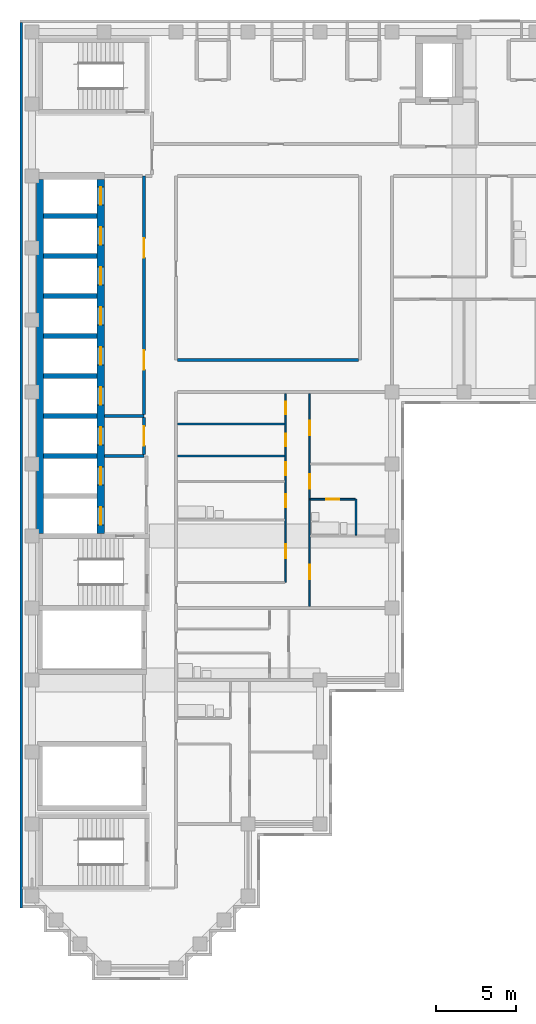
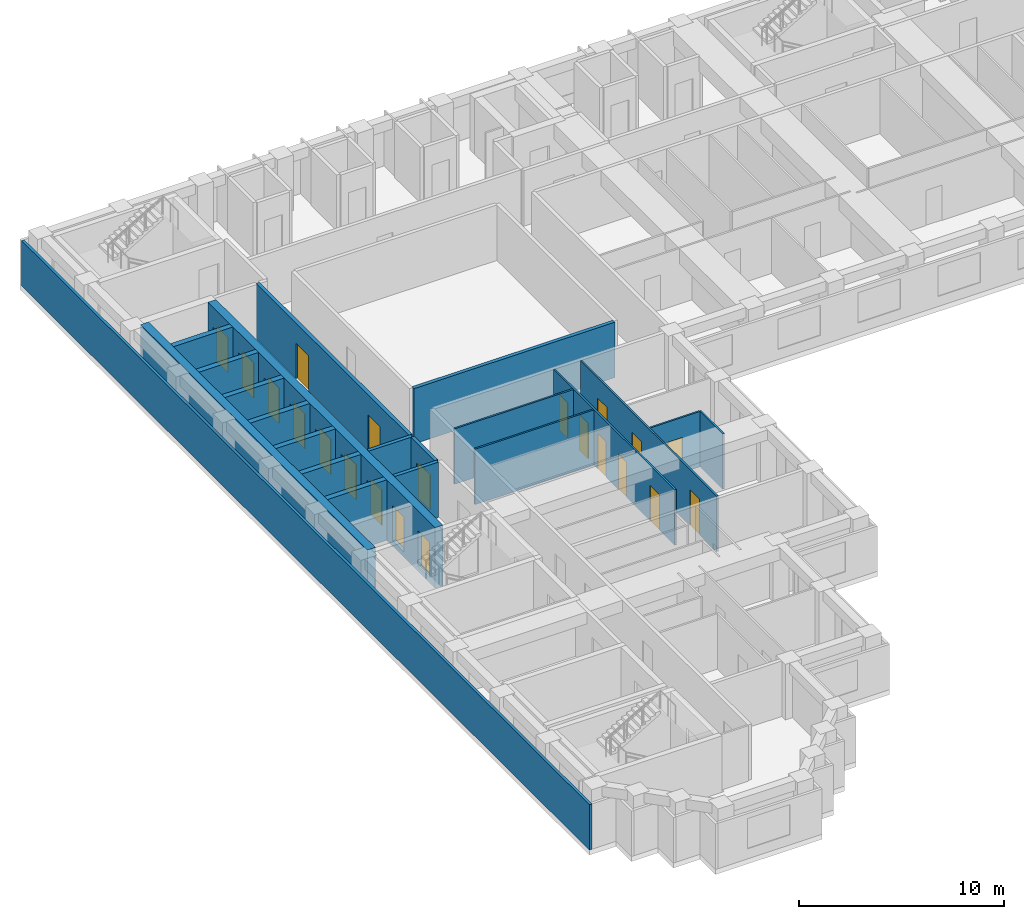
# One storey, part 4 of 10: 21 doors, 21 walls, 21 openings.
"""IFC4 building model written with IfcOpenShell, lengths in metres."""

import ifcopenshell
import ifcopenshell.guid

model = None  # the IFC model being written
_history = None  # IfcOwnerHistory: only IFC2X3 demands one
_inside = {}  # id of a spatial element -> (the spatial element, [elements in it])
_under = {}  # id of a project, library or spatial element -> (it, [spatial elements below it])
_declared = {}  # id of a project -> (the project, [libraries it declares])
_typed = {}  # id of a type object -> (the type object, [elements of that type])
_made_of = {}  # id of a material, layer set ... -> (it, [elements and type objects made of it])


def new_model(schema):
    """Start an empty IFC model of exactly this schema.

    Asked for "IFC4X3", IfcOpenShell would pick the latest addendum, in which some entities
    have other attributes; the version numbers below select the first issue.
    IFC2X3 requires an IfcOwnerHistory on every rooted entity: one is made here for all.
    """
    global model, _history
    if schema == "IFC4X3":
        model = ifcopenshell.file(schema_version=(4, 3, 0, 0))
    else:
        model = ifcopenshell.file(schema=schema)
    _inside.clear()
    _under.clear()
    _declared.clear()
    _typed.clear()
    _made_of.clear()
    _history = None
    if model.schema == "IFC2X3":
        org = make("IfcOrganization", Name="unknown")
        user = make(
            "IfcPersonAndOrganization",
            ThePerson=make("IfcPerson", FamilyName="unknown"),
            TheOrganization=org,
        )
        app = make(
            "IfcApplication",
            ApplicationDeveloper=org,
            Version="unknown",
            ApplicationFullName="unknown",
            ApplicationIdentifier="unknown",
        )
        _history = make(
            "IfcOwnerHistory",
            OwningUser=user,
            OwningApplication=app,
            ChangeAction="ADDED",
            CreationDate=0,
        )
    return model


def make(cls, **values):
    """One entity of the class cls with the attributes given. An attribute that is None is left unset."""
    return model.create_entity(
        cls, **{name: value for name, value in values.items() if value is not None}
    )


def rooted(cls, **values):
    """An entity with a GlobalId (a new one), such as an element, a storey or a relation."""
    return make(cls, GlobalId=ifcopenshell.guid.new(), OwnerHistory=_history, **values)


def si_unit(unit_type, name, prefix=None):
    """IfcSIUnit, for example si_unit("LENGTHUNIT", "METRE", prefix="MILLI")."""
    return make("IfcSIUnit", UnitType=unit_type, Prefix=prefix, Name=name)


def assignment(units):
    """IfcUnitAssignment: the units of a project."""
    return None if units is None else make("IfcUnitAssignment", Units=units)


def point(xyz):
    """IfcCartesianPoint."""
    return None if xyz is None else make("IfcCartesianPoint", Coordinates=xyz)


def direction(xyz):
    """IfcDirection."""
    return None if xyz is None else make("IfcDirection", DirectionRatios=xyz)


def frame(location, z_axis=None, x_axis=None):
    """IfcAxis2Placement3D, a coordinate frame: its origin and axes. An axis left out is left unset."""
    return make(
        "IfcAxis2Placement3D",
        Location=point(location),
        Axis=direction(z_axis),
        RefDirection=direction(x_axis),
    )


def frame_2d(location, x_axis=None):
    """IfcAxis2Placement2D, a coordinate frame in the plane: its origin and x axis."""
    return make(
        "IfcAxis2Placement2D", Location=point(location), RefDirection=direction(x_axis)
    )


def origin():
    """The frame at (0, 0, 0) with its axes left unset."""
    return frame((0.0, 0.0, 0.0))


def place(relative_to, where):
    """IfcLocalPlacement: puts the frame where relative to a parent placement (None: the world)."""
    return make(
        "IfcLocalPlacement", PlacementRelTo=relative_to, RelativePlacement=where
    )


def context(
    kind, dimensions, precision=None, world=None, true_north=None, identifier=None
):
    """IfcGeometricRepresentationContext, for example the 3D "Model" context."""
    return make(
        "IfcGeometricRepresentationContext",
        ContextIdentifier=identifier,
        ContextType=kind,
        CoordinateSpaceDimension=dimensions,
        Precision=precision,
        WorldCoordinateSystem=world,
        TrueNorth=true_north,
    )


def subcontext(parent, identifier, kind, view, scale=None):
    """IfcGeometricRepresentationSubContext, for example "Body" below "Model"."""
    return make(
        "IfcGeometricRepresentationSubContext",
        ContextIdentifier=identifier,
        ContextType=kind,
        ParentContext=parent,
        TargetScale=scale,
        TargetView=view,
    )


def project(units=None, contexts=None):
    """IfcProject with its units and contexts."""
    return rooted(
        "IfcProject",
        Name="project",
        RepresentationContexts=contexts,
        UnitsInContext=assignment(units),
    )


def spatial(cls, under=None, at=None, **own):
    """A site, building, storey or space (cls), placed at a placement, below another one or the project."""
    s = rooted(cls, ObjectPlacement=at, **own)
    if under is not None:
        _under.setdefault(under.id(), (under, []))[1].append(s)
    return s


def profile(cls, at=None, kind="AREA", **sizes):
    """A parametric profile (cls). Its sizes go by their IFC names, for example OverallWidth=200.0."""
    return make(cls, ProfileType=kind, Position=at, **sizes)


def rectangle(**sizes):
    """IfcRectangleProfileDef."""
    return profile("IfcRectangleProfileDef", **sizes)


def extrude(swept, where, along, depth):
    """IfcExtrudedAreaSolid: the profile swept, set in the frame where, extruded along a direction by depth."""
    return make(
        "IfcExtrudedAreaSolid",
        SweptArea=swept,
        Position=where,
        ExtrudedDirection=direction(along),
        Depth=depth,
    )


def shape(context_of_items, identifier, shape_type, items):
    """IfcShapeRepresentation: the items that make up one representation, for example the "Body"."""
    return make(
        "IfcShapeRepresentation",
        ContextOfItems=context_of_items,
        RepresentationIdentifier=identifier,
        RepresentationType=shape_type,
        Items=items,
    )


def material(Name=None, Category=None):
    """IfcMaterial."""
    return make("IfcMaterial", Name=Name, Category=Category)


def layer(
    of_material, thickness, ventilated=None, Name=None, Category=None, Priority=None
):
    """IfcMaterialLayer: one layer of a wall or slab, of a material (None: an air gap)."""
    return make(
        "IfcMaterialLayer",
        Material=of_material,
        LayerThickness=thickness,
        IsVentilated=ventilated,
        Name=Name,
        Category=Category,
        Priority=Priority,
    )


def layer_set(layers, Name=None):
    """IfcMaterialLayerSet."""
    return make("IfcMaterialLayerSet", MaterialLayers=layers, LayerSetName=Name)


def made_of(thing, what):
    """Note that an element or type object is made of a material, layer set ...; save() writes the relation."""
    if what is not None:
        _made_of.setdefault(what.id(), (what, []))[1].append(thing)
    return thing


def type_object(cls, material=None, **own):
    """A type object (cls), such as IfcWallType, which elements share."""
    return made_of(rooted(cls, **own), material)


def element(
    cls,
    number,
    at=None,
    inside=None,
    cuts=None,
    type_object=None,
    material=None,
    context=None,
    identifier="Body",
    shape_type=None,
    held_by="IfcProductDefinitionShape",
    body=None,
    shapes=None,
    **own,
):
    """One element of the class cls, such as IfcWall. Its Tag is "e" and its number.

    at: its placement. inside: the storey or other place that contains it. cuts: it is an
    opening in that element (IfcRelVoidsElement). A single representation is given by context,
    identifier, shape_type and body (its items); several are given by shapes. held_by: the class
    of the entity that holds the representations. save() writes the other relations.
    """
    e = rooted(cls, Tag="e%d" % number, ObjectPlacement=at, **own)
    if body is not None:
        shapes = [shape(context, identifier, shape_type, body)]
    if shapes is not None:
        e.Representation = make(held_by, Representations=shapes)
    if inside is not None:
        _inside.setdefault(inside.id(), (inside, []))[1].append(e)
    if cuts is not None:
        rooted(
            "IfcRelVoidsElement", RelatingBuildingElement=cuts, RelatedOpeningElement=e
        )
    if type_object is not None:
        _typed.setdefault(type_object.id(), (type_object, []))[1].append(e)
    return made_of(e, material)


def fill(opening, filler):
    """IfcRelFillsElement: the door or window that sits in an opening."""
    return rooted(
        "IfcRelFillsElement",
        RelatingOpeningElement=opening,
        RelatedBuildingElement=filler,
    )


def aggregate(whole, parts):
    """IfcRelAggregates: a whole, such as a stair, and the parts it consists of."""
    return rooted("IfcRelAggregates", RelatingObject=whole, RelatedObjects=parts)


def save(model, path):
    """Write the relations noted so far, then the file.

    IfcRelAggregates (storeys below a building ...), IfcRelContainedInSpatialStructure (elements
    in a storey), IfcRelDefinesByType, IfcRelAssociatesMaterial and IfcRelDeclares: one each for
    every whole, place, type object, material and project.
    """
    for whole, parts in _under.values():
        aggregate(whole, parts)
    for where, things in _inside.values():
        rooted(
            "IfcRelContainedInSpatialStructure",
            RelatedElements=things,
            RelatingStructure=where,
        )
    for kind, things in _typed.values():
        rooted("IfcRelDefinesByType", RelatedObjects=things, RelatingType=kind)
    for what, things in _made_of.values():
        rooted("IfcRelAssociatesMaterial", RelatedObjects=things, RelatingMaterial=what)
    for by, libraries in _declared.values():
        rooted("IfcRelDeclares", RelatingContext=by, RelatedDefinitions=libraries)
    model.write(path)


model = new_model("IFC4")

# Units and contexts
model_context = context("Model", 3, precision=1e-05, world=origin(), true_north=direction((0.0, 1.0)))
body_context = subcontext(model_context, "Body", "Model", "MODEL_VIEW")
ifc_project = project(units=[si_unit("LENGTHUNIT", "METRE"), si_unit("AREAUNIT", "SQUARE_METRE"), si_unit("VOLUMEUNIT", "CUBIC_METRE"), si_unit("PLANEANGLEUNIT", "RADIAN"), si_unit("MASSUNIT", "GRAM", prefix="KILO")], contexts=[model_context])

# Site, building, storey
site_placement = place(None, origin())
site = spatial("IfcSite", under=ifc_project, at=site_placement, CompositionType="ELEMENT")
building_placement = place(site_placement, origin())
building = spatial("IfcBuilding", under=site, at=building_placement, Name="Firuza Court", CompositionType="ELEMENT")
storey_placement = place(building_placement, frame((0.0, 0.0, 189.800048828125)))
storey = spatial("IfcBuildingStorey", under=building, at=storey_placement, Name="L48", CompositionType="ELEMENT", Elevation=189.800048828125)

# Wall
ifc_material_1 = material(Name="Moisture-resistant gypsum board partition")
ifc_layer_1 = layer(ifc_material_1, 0.10009765625)
ifc_layer_set_1 = layer_set([ifc_layer_1], Name="Moisture-resistant gypsum board partition")
wall_type_1 = type_object("IfcWallType", Name="Bathroom partition 100", PredefinedType="PLUMBINGWALL", material=ifc_layer_set_1)
wall_1_placement = place(storey_placement, frame((20.25, 27.050048828125, 0.0), z_axis=(0.0, 0.0, 1.0), x_axis=(0.0, 1.0, 0.0)))
element("IfcWall", 1, at=wall_1_placement, inside=storey, type_object=wall_type_1, Name="Bathroom partition 100 L48", PredefinedType="PLUMBINGWALL", context=body_context, shape_type="SweptSolid", body=[
    extrude(rectangle(XDim=2.25, YDim=0.10009765625, at=frame_2d((1.125, 0.0))), origin(), (0.0, 0.0, 1.0), 3.300048828125),
])

# Wall, opening, door
wall_2_placement = place(storey_placement, frame((17.39990234375, 29.300048828125, 0.0), z_axis=(0.0, 0.0, 1.0), x_axis=(1.0, 0.0, 0.0)))
wall_2 = element("IfcWall", 2, at=wall_2_placement, inside=storey, type_object=wall_type_1, Name="Bathroom partition 100 L48", PredefinedType="PLUMBINGWALL", context=body_context, shape_type="SweptSolid", body=[
    extrude(rectangle(XDim=2.800048828125, YDim=0.10009765625, at=frame_2d((1.39990234375, 0.0))), origin(), (0.0, 0.0, 1.0), 3.300048828125),
])
opening_1_placement = place(wall_2_placement, frame((1.0, 0.0, 0.0)))
opening_1 = element("IfcOpeningElement", 3, at=opening_1_placement, cuts=wall_2, Name="Opening D48036", PredefinedType="OPENING", context=body_context, shape_type="SweptSolid", body=[
    extrude(rectangle(XDim=0.800048828125, YDim=2.10009765625, at=frame_2d((0.39990234375, 1.050048828125))), frame((0.0, 0.06201171875, 0.0), z_axis=(0.0, -1.0, 0.0), x_axis=(1.0, 0.0, 0.0)), (0.0, 0.0, 1.0), 0.1240234375),
])
ifc_material_2 = material(Name="Timber door leaf in hardwood frame", Category="wood")
door_type_1 = type_object("IfcDoorType", Name="Bathroom door 800", OperationType="SINGLE_SWING_LEFT", PredefinedType="DOOR", material=ifc_material_2)
door_1_placement = place(opening_1_placement, frame((0.800048828125, 0.0, 0.0), z_axis=(0.0, 0.0, 1.0), x_axis=(-1.0, 0.0, 0.0)))
door_1 = element("IfcDoor", 4, at=door_1_placement, inside=storey, type_object=door_type_1, Name="En-suite door", OperationType="SINGLE_SWING_RIGHT", OverallHeight=2.10009765625, OverallWidth=0.800048828125, PredefinedType="DOOR", context=body_context, shape_type="SweptSolid", body=[
    extrude(rectangle(XDim=0.800048828125, YDim=2.10009765625, at=frame_2d((0.39990234375, 1.050048828125))), frame((0.0, 0.02490234375, 0.0), z_axis=(0.0, -1.0, 0.0), x_axis=(1.0, 0.0, 0.0)), (0.0, 0.0, 1.0), 0.050048828125),
])
fill(opening_1, door_1)

# Walls
ifc_material_3 = material(Name="Concrete C50/60", Category="concrete")
ifc_layer_2 = layer(ifc_material_3, 0.300048828125)
ifc_layer_set_2 = layer_set([ifc_layer_2], Name="Concrete C50/60")
wall_type_2 = type_object("IfcWallType", Name="Core wall 300 C50/60", PredefinedType="SHEAR", material=ifc_layer_set_2)
for number, where, z_axis, x_axis, name in (
    (5, (0.72509765625, 32.0, -0.300048828125), (0.0, 0.0, 1.0), (1.0, 0.0, 0.0), "Core wall lift shaft L48"),
    (6, (0.72509765625, 34.5, -0.300048828125), (0.0, 0.0, 1.0), (1.0, 0.0, 0.0), "Core wall lift shaft L48"),
    (7, (0.72509765625, 37.0, -0.300048828125), (0.0, 0.0, 1.0), (1.0, 0.0, 0.0), "Core wall lift shaft L48"),
    (8, (0.72509765625, 39.5, -0.300048828125), (0.0, 0.0, 1.0), (1.0, 0.0, 0.0), "Core wall lift shaft L48"),
    (9, (0.72509765625, 42.0, -0.300048828125), (0.0, 0.0, 1.0), (1.0, 0.0, 0.0), "Core wall lift shaft L48"),
    (10, (0.72509765625, 44.5, -0.300048828125), (0.0, 0.0, 1.0), (1.0, 0.0, 0.0), "Core wall lift shaft L48"),
    (11, (0.72509765625, 47.0, -0.300048828125), (0.0, 0.0, 1.0), (1.0, 0.0, 0.0), "Core wall lift shaft L48"),
):
    element("IfcWall", number, at=place(storey_placement, frame(where, z_axis=z_axis, x_axis=x_axis)), inside=storey, type_object=wall_type_2, Name=name, PredefinedType="SHEAR", context=body_context, shape_type="SweptSolid", body=[
        extrude(rectangle(XDim=3.349853515625, YDim=0.300048828125, at=frame_2d((1.6748046875, 0.0))), origin(), (0.0, 0.0, 1.0), 3.60009765625),
    ])
ifc_layer_3 = layer(ifc_material_3, 0.449951171875)
ifc_layer_set_3 = layer_set([ifc_layer_3], Name="Concrete C50/60")
wall_type_3 = type_object("IfcWallType", Name="Core wall 450 C50/60", PredefinedType="SHEAR", material=ifc_layer_set_3)
wall_3_placement = place(storey_placement, frame((0.5, 27.14990234375, -0.300048828125), z_axis=(0.0, 0.0, 1.0), x_axis=(0.0, 1.0, 0.0)))
element("IfcWall", 12, at=wall_3_placement, inside=storey, type_object=wall_type_3, Name="Core wall lift shaft L48", PredefinedType="SHEAR", context=body_context, shape_type="SweptSolid", body=[
    extrude(rectangle(XDim=22.125, YDim=0.449951171875, at=frame_2d((11.0625, 0.0))), origin(), (0.0, 0.0, 1.0), 3.60009765625),
])

# Wall, openings, doors
wall_4_placement = place(storey_placement, frame((4.300048828125, 27.14990234375, -0.300048828125), z_axis=(0.0, 0.0, 1.0), x_axis=(0.0, 1.0, 0.0)))
wall_4 = element("IfcWall", 13, at=wall_4_placement, inside=storey, type_object=wall_type_3, Name="Core wall lift shaft L48", PredefinedType="SHEAR", context=body_context, shape_type="SweptSolid", body=[
    extrude(rectangle(XDim=22.125, YDim=0.449951171875, at=frame_2d((11.0625, 0.0))), origin(), (0.0, 0.0, 1.0), 3.60009765625),
])
opening_2_placement = place(wall_4_placement, frame((3.050048828125, 0.0, 0.300048828125)))
opening_2 = element("IfcOpeningElement", 14, at=opening_2_placement, cuts=wall_4, Name="Opening LD-FL1-48", PredefinedType="OPENING", context=body_context, shape_type="SweptSolid", body=[
    extrude(rectangle(XDim=1.10009765625, YDim=2.10009765625, at=frame_2d((0.550048828125, 1.050048828125))), frame((0.0, 0.23681640625, 0.0), z_axis=(0.0, -1.0, 0.0), x_axis=(1.0, 0.0, 0.0)), (0.0, 0.0, 1.0), 0.473876953125),
])
opening_3_placement = place(wall_4_placement, frame((0.550048828125, 0.0, 0.300048828125)))
opening_3 = element("IfcOpeningElement", 15, at=opening_3_placement, cuts=wall_4, Name="Opening LD-FL2-48", PredefinedType="OPENING", context=body_context, shape_type="SweptSolid", body=[
    extrude(rectangle(XDim=1.10009765625, YDim=2.10009765625, at=frame_2d((0.550048828125, 1.050048828125))), frame((0.0, 0.23681640625, 0.0), z_axis=(0.0, -1.0, 0.0), x_axis=(1.0, 0.0, 0.0)), (0.0, 0.0, 1.0), 0.473876953125),
])
opening_4_placement = place(wall_4_placement, frame((20.550048828125, 0.0, 0.300048828125)))
opening_4 = element("IfcOpeningElement", 16, at=opening_4_placement, cuts=wall_4, Name="Opening LD-HB1-48", PredefinedType="OPENING", context=body_context, shape_type="SweptSolid", body=[
    extrude(rectangle(XDim=1.10009765625, YDim=2.10009765625, at=frame_2d((0.550048828125, 1.050048828125))), frame((0.0, 0.23681640625, 0.0), z_axis=(0.0, -1.0, 0.0), x_axis=(1.0, 0.0, 0.0)), (0.0, 0.0, 1.0), 0.473876953125),
])
opening_5_placement = place(wall_4_placement, frame((18.050048828125, 0.0, 0.300048828125)))
opening_5 = element("IfcOpeningElement", 17, at=opening_5_placement, cuts=wall_4, Name="Opening LD-HB2-48", PredefinedType="OPENING", context=body_context, shape_type="SweptSolid", body=[
    extrude(rectangle(XDim=1.10009765625, YDim=2.10009765625, at=frame_2d((0.550048828125, 1.050048828125))), frame((0.0, 0.23681640625, 0.0), z_axis=(0.0, -1.0, 0.0), x_axis=(1.0, 0.0, 0.0)), (0.0, 0.0, 1.0), 0.473876953125),
])
opening_6_placement = place(wall_4_placement, frame((15.550048828125, 0.0, 0.300048828125)))
opening_6 = element("IfcOpeningElement", 18, at=opening_6_placement, cuts=wall_4, Name="Opening LD-HB3-48", PredefinedType="OPENING", context=body_context, shape_type="SweptSolid", body=[
    extrude(rectangle(XDim=1.10009765625, YDim=2.10009765625, at=frame_2d((0.550048828125, 1.050048828125))), frame((0.0, 0.23681640625, 0.0), z_axis=(0.0, -1.0, 0.0), x_axis=(1.0, 0.0, 0.0)), (0.0, 0.0, 1.0), 0.473876953125),
])
opening_7_placement = place(wall_4_placement, frame((13.050048828125, 0.0, 0.300048828125)))
opening_7 = element("IfcOpeningElement", 19, at=opening_7_placement, cuts=wall_4, Name="Opening LD-HB4-48", PredefinedType="OPENING", context=body_context, shape_type="SweptSolid", body=[
    extrude(rectangle(XDim=1.10009765625, YDim=2.10009765625, at=frame_2d((0.550048828125, 1.050048828125))), frame((0.0, 0.23681640625, 0.0), z_axis=(0.0, -1.0, 0.0), x_axis=(1.0, 0.0, 0.0)), (0.0, 0.0, 1.0), 0.473876953125),
])
opening_8_placement = place(wall_4_placement, frame((10.550048828125, 0.0, 0.300048828125)))
opening_8 = element("IfcOpeningElement", 20, at=opening_8_placement, cuts=wall_4, Name="Opening LD-HB5-48", PredefinedType="OPENING", context=body_context, shape_type="SweptSolid", body=[
    extrude(rectangle(XDim=1.10009765625, YDim=2.10009765625, at=frame_2d((0.550048828125, 1.050048828125))), frame((0.0, 0.23681640625, 0.0), z_axis=(0.0, -1.0, 0.0), x_axis=(1.0, 0.0, 0.0)), (0.0, 0.0, 1.0), 0.473876953125),
])
opening_9_placement = place(wall_4_placement, frame((8.050048828125, 0.0, 0.300048828125)))
opening_9 = element("IfcOpeningElement", 21, at=opening_9_placement, cuts=wall_4, Name="Opening LD-HB6-48", PredefinedType="OPENING", context=body_context, shape_type="SweptSolid", body=[
    extrude(rectangle(XDim=1.10009765625, YDim=2.10009765625, at=frame_2d((0.550048828125, 1.050048828125))), frame((0.0, 0.23681640625, 0.0), z_axis=(0.0, -1.0, 0.0), x_axis=(1.0, 0.0, 0.0)), (0.0, 0.0, 1.0), 0.473876953125),
])
opening_10_placement = place(wall_4_placement, frame((5.550048828125, 0.0, 0.300048828125)))
opening_10 = element("IfcOpeningElement", 22, at=opening_10_placement, cuts=wall_4, Name="Opening LD-SL1-48", PredefinedType="OPENING", context=body_context, shape_type="SweptSolid", body=[
    extrude(rectangle(XDim=1.10009765625, YDim=2.10009765625, at=frame_2d((0.550048828125, 1.050048828125))), frame((0.0, 0.23681640625, 0.0), z_axis=(0.0, -1.0, 0.0), x_axis=(1.0, 0.0, 0.0)), (0.0, 0.0, 1.0), 0.473876953125),
])
ifc_material_4 = material(Name="Stainless steel 1.4301 door leaf", Category="steel")
door_type_2 = type_object("IfcDoorType", Name="Lift landing door 1100", OperationType="SLIDING_TO_LEFT", PredefinedType="DOOR", material=ifc_material_4)
door_2_placement = place(opening_2_placement, origin())
door_2 = element("IfcDoor", 23, at=door_2_placement, inside=storey, type_object=door_type_2, Name="Landing door FL1", OperationType="SLIDING_TO_LEFT", OverallHeight=2.10009765625, OverallWidth=1.10009765625, PredefinedType="DOOR", context=body_context, shape_type="SweptSolid", body=[
    extrude(rectangle(XDim=1.10009765625, YDim=2.10009765625, at=frame_2d((0.550048828125, 1.050048828125))), frame((0.0, 0.02490234375, 0.0), z_axis=(0.0, -1.0, 0.0), x_axis=(1.0, 0.0, 0.0)), (0.0, 0.0, 1.0), 0.050048828125),
])
fill(opening_2, door_2)
door_3_placement = place(opening_3_placement, origin())
door_3 = element("IfcDoor", 24, at=door_3_placement, inside=storey, type_object=door_type_2, Name="Landing door FL2", OperationType="SLIDING_TO_LEFT", OverallHeight=2.10009765625, OverallWidth=1.10009765625, PredefinedType="DOOR", context=body_context, shape_type="SweptSolid", body=[
    extrude(rectangle(XDim=1.10009765625, YDim=2.10009765625, at=frame_2d((0.550048828125, 1.050048828125))), frame((0.0, 0.02490234375, 0.0), z_axis=(0.0, -1.0, 0.0), x_axis=(1.0, 0.0, 0.0)), (0.0, 0.0, 1.0), 0.050048828125),
])
fill(opening_3, door_3)
door_4_placement = place(opening_4_placement, origin())
door_4 = element("IfcDoor", 25, at=door_4_placement, inside=storey, type_object=door_type_2, Name="Landing door HB1", OperationType="SLIDING_TO_LEFT", OverallHeight=2.10009765625, OverallWidth=1.10009765625, PredefinedType="DOOR", context=body_context, shape_type="SweptSolid", body=[
    extrude(rectangle(XDim=1.10009765625, YDim=2.10009765625, at=frame_2d((0.550048828125, 1.050048828125))), frame((0.0, 0.02490234375, 0.0), z_axis=(0.0, -1.0, 0.0), x_axis=(1.0, 0.0, 0.0)), (0.0, 0.0, 1.0), 0.050048828125),
])
fill(opening_4, door_4)
door_5_placement = place(opening_5_placement, origin())
door_5 = element("IfcDoor", 26, at=door_5_placement, inside=storey, type_object=door_type_2, Name="Landing door HB2", OperationType="SLIDING_TO_LEFT", OverallHeight=2.10009765625, OverallWidth=1.10009765625, PredefinedType="DOOR", context=body_context, shape_type="SweptSolid", body=[
    extrude(rectangle(XDim=1.10009765625, YDim=2.10009765625, at=frame_2d((0.550048828125, 1.050048828125))), frame((0.0, 0.02490234375, 0.0), z_axis=(0.0, -1.0, 0.0), x_axis=(1.0, 0.0, 0.0)), (0.0, 0.0, 1.0), 0.050048828125),
])
fill(opening_5, door_5)
door_6_placement = place(opening_6_placement, origin())
door_6 = element("IfcDoor", 27, at=door_6_placement, inside=storey, type_object=door_type_2, Name="Landing door HB3", OperationType="SLIDING_TO_LEFT", OverallHeight=2.10009765625, OverallWidth=1.10009765625, PredefinedType="DOOR", context=body_context, shape_type="SweptSolid", body=[
    extrude(rectangle(XDim=1.10009765625, YDim=2.10009765625, at=frame_2d((0.550048828125, 1.050048828125))), frame((0.0, 0.02490234375, 0.0), z_axis=(0.0, -1.0, 0.0), x_axis=(1.0, 0.0, 0.0)), (0.0, 0.0, 1.0), 0.050048828125),
])
fill(opening_6, door_6)
door_7_placement = place(opening_7_placement, origin())
door_7 = element("IfcDoor", 28, at=door_7_placement, inside=storey, type_object=door_type_2, Name="Landing door HB4", OperationType="SLIDING_TO_LEFT", OverallHeight=2.10009765625, OverallWidth=1.10009765625, PredefinedType="DOOR", context=body_context, shape_type="SweptSolid", body=[
    extrude(rectangle(XDim=1.10009765625, YDim=2.10009765625, at=frame_2d((0.550048828125, 1.050048828125))), frame((0.0, 0.02490234375, 0.0), z_axis=(0.0, -1.0, 0.0), x_axis=(1.0, 0.0, 0.0)), (0.0, 0.0, 1.0), 0.050048828125),
])
fill(opening_7, door_7)
door_8_placement = place(opening_8_placement, origin())
door_8 = element("IfcDoor", 29, at=door_8_placement, inside=storey, type_object=door_type_2, Name="Landing door HB5", OperationType="SLIDING_TO_LEFT", OverallHeight=2.10009765625, OverallWidth=1.10009765625, PredefinedType="DOOR", context=body_context, shape_type="SweptSolid", body=[
    extrude(rectangle(XDim=1.10009765625, YDim=2.10009765625, at=frame_2d((0.550048828125, 1.050048828125))), frame((0.0, 0.02490234375, 0.0), z_axis=(0.0, -1.0, 0.0), x_axis=(1.0, 0.0, 0.0)), (0.0, 0.0, 1.0), 0.050048828125),
])
fill(opening_8, door_8)
door_9_placement = place(opening_9_placement, origin())
door_9 = element("IfcDoor", 30, at=door_9_placement, inside=storey, type_object=door_type_2, Name="Landing door HB6", OperationType="SLIDING_TO_LEFT", OverallHeight=2.10009765625, OverallWidth=1.10009765625, PredefinedType="DOOR", context=body_context, shape_type="SweptSolid", body=[
    extrude(rectangle(XDim=1.10009765625, YDim=2.10009765625, at=frame_2d((0.550048828125, 1.050048828125))), frame((0.0, 0.02490234375, 0.0), z_axis=(0.0, -1.0, 0.0), x_axis=(1.0, 0.0, 0.0)), (0.0, 0.0, 1.0), 0.050048828125),
])
fill(opening_9, door_9)
door_10_placement = place(opening_10_placement, origin())
door_10 = element("IfcDoor", 31, at=door_10_placement, inside=storey, type_object=door_type_2, Name="Landing door SL1", OperationType="SLIDING_TO_LEFT", OverallHeight=2.10009765625, OverallWidth=1.10009765625, PredefinedType="DOOR", context=body_context, shape_type="SweptSolid", body=[
    extrude(rectangle(XDim=1.10009765625, YDim=2.10009765625, at=frame_2d((0.550048828125, 1.050048828125))), frame((0.0, 0.02490234375, 0.0), z_axis=(0.0, -1.0, 0.0), x_axis=(1.0, 0.0, 0.0)), (0.0, 0.0, 1.0), 0.050048828125),
])
fill(opening_10, door_10)

# Wall
ifc_material_5 = material(Name="Blockwork, plastered both sides", Category="masonry")
ifc_layer_4 = layer(ifc_material_5, 0.199951171875)
ifc_layer_set_4 = layer_set([ifc_layer_4], Name="Blockwork, plastered both sides")
wall_type_4 = type_object("IfcWallType", Name="Corridor wall 200", PredefinedType="PARTITIONING", material=ifc_layer_set_4)
wall_5_placement = place(storey_placement, frame((9.10009765625, 38.0, 0.0), z_axis=(0.0, 0.0, 1.0), x_axis=(1.0, 0.0, 0.0)))
element("IfcWall", 32, at=wall_5_placement, inside=storey, type_object=wall_type_4, Name="Corridor wall 200 L48", PredefinedType="PARTITIONING", context=body_context, shape_type="SweptSolid", body=[
    extrude(rectangle(XDim=11.2998046875, YDim=0.199951171875, at=frame_2d((5.64990234375, 0.0))), origin(), (0.0, 0.0, 1.0), 3.300048828125),
])

# Wall, openings, doors
ifc_material_6 = material(Name="Timber stud partition, plasterboard both sides", Category="wood")
ifc_layer_5 = layer(ifc_material_6, 0.10009765625)
ifc_layer_set_5 = layer_set([ifc_layer_5], Name="Timber stud partition, plasterboard both sides")
wall_type_5 = type_object("IfcWallType", Name="Partition wall 100", PredefinedType="PARTITIONING", material=ifc_layer_set_5)
wall_6_placement = place(storey_placement, frame((17.35009765625, 22.60009765625, 0.0), z_axis=(0.0, 0.0, 1.0), x_axis=(0.0, 1.0, 0.0)))
wall_6 = element("IfcWall", 33, at=wall_6_placement, inside=storey, type_object=wall_type_5, Name="Partition wall 100 L48", PredefinedType="PARTITIONING", context=body_context, shape_type="SweptSolid", body=[
    extrude(rectangle(XDim=13.2998046875, YDim=0.10009765625, at=frame_2d((6.64990234375, 0.0))), origin(), (0.0, 0.0, 1.0), 3.300048828125),
])
opening_11_placement = place(wall_6_placement, frame((1.699951171875, 0.0, 0.0)))
opening_11 = element("IfcOpeningElement", 34, at=opening_11_placement, cuts=wall_6, Name="Opening D48028", PredefinedType="OPENING", context=body_context, shape_type="SweptSolid", body=[
    extrude(rectangle(XDim=0.89990234375, YDim=2.10009765625, at=frame_2d((0.449951171875, 1.050048828125))), frame((0.0, 0.06201171875, 0.0), z_axis=(0.0, -1.0, 0.0), x_axis=(1.0, 0.0, 0.0)), (0.0, 0.0, 1.0), 0.1240234375),
])
opening_12_placement = place(wall_6_placement, frame((7.35009765625, 0.0, 0.0)))
opening_12 = element("IfcOpeningElement", 35, at=opening_12_placement, cuts=wall_6, Name="Opening D48029", PredefinedType="OPENING", context=body_context, shape_type="SweptSolid", body=[
    extrude(rectangle(XDim=0.89990234375, YDim=2.10009765625, at=frame_2d((0.449951171875, 1.050048828125))), frame((0.0, 0.06201171875, 0.0), z_axis=(0.0, -1.0, 0.0), x_axis=(1.0, 0.0, 0.0)), (0.0, 0.0, 1.0), 0.1240234375),
])
opening_13_placement = place(wall_6_placement, frame((10.699951171875, 0.0, 0.0)))
opening_13 = element("IfcOpeningElement", 36, at=opening_13_placement, cuts=wall_6, Name="Opening D48030", PredefinedType="OPENING", context=body_context, shape_type="SweptSolid", body=[
    extrude(rectangle(XDim=0.89990234375, YDim=2.10009765625, at=frame_2d((0.449951171875, 1.050048828125))), frame((0.0, 0.06201171875, 0.0), z_axis=(0.0, -1.0, 0.0), x_axis=(1.0, 0.0, 0.0)), (0.0, 0.0, 1.0), 0.1240234375),
])
ifc_material_7 = material(Name="Timber door leaf in hardwood frame", Category="wood")
door_type_3 = type_object("IfcDoorType", Name="Room door 900", OperationType="SINGLE_SWING_LEFT", PredefinedType="DOOR", material=ifc_material_7)
door_11_placement = place(opening_11_placement, frame((0.89990234375, 0.0, 0.0), z_axis=(0.0, 0.0, 1.0), x_axis=(-1.0, 0.0, 0.0)))
door_11 = element("IfcDoor", 37, at=door_11_placement, inside=storey, type_object=door_type_3, Name="Living room door", OperationType="SINGLE_SWING_RIGHT", OverallHeight=2.10009765625, OverallWidth=0.89990234375, PredefinedType="DOOR", context=body_context, shape_type="SweptSolid", body=[
    extrude(rectangle(XDim=0.89990234375, YDim=2.10009765625, at=frame_2d((0.449951171875, 1.050048828125))), frame((0.0, 0.02490234375, 0.0), z_axis=(0.0, -1.0, 0.0), x_axis=(1.0, 0.0, 0.0)), (0.0, 0.0, 1.0), 0.050048828125),
])
fill(opening_11, door_11)
door_12_placement = place(opening_12_placement, frame((0.89990234375, 0.0, 0.0), z_axis=(0.0, 0.0, 1.0), x_axis=(-1.0, 0.0, 0.0)))
door_12 = element("IfcDoor", 38, at=door_12_placement, inside=storey, type_object=door_type_3, Name="Bedroom door", OperationType="SINGLE_SWING_RIGHT", OverallHeight=2.10009765625, OverallWidth=0.89990234375, PredefinedType="DOOR", context=body_context, shape_type="SweptSolid", body=[
    extrude(rectangle(XDim=0.89990234375, YDim=2.10009765625, at=frame_2d((0.449951171875, 1.050048828125))), frame((0.0, 0.02490234375, 0.0), z_axis=(0.0, -1.0, 0.0), x_axis=(1.0, 0.0, 0.0)), (0.0, 0.0, 1.0), 0.050048828125),
])
fill(opening_12, door_12)
door_13_placement = place(opening_13_placement, frame((0.89990234375, 0.0, 0.0), z_axis=(0.0, 0.0, 1.0), x_axis=(-1.0, 0.0, 0.0)))
door_13 = element("IfcDoor", 39, at=door_13_placement, inside=storey, type_object=door_type_3, Name="Bedroom door", OperationType="SINGLE_SWING_RIGHT", OverallHeight=2.10009765625, OverallWidth=0.89990234375, PredefinedType="DOOR", context=body_context, shape_type="SweptSolid", body=[
    extrude(rectangle(XDim=0.89990234375, YDim=2.10009765625, at=frame_2d((0.449951171875, 1.050048828125))), frame((0.0, 0.02490234375, 0.0), z_axis=(0.0, -1.0, 0.0), x_axis=(1.0, 0.0, 0.0)), (0.0, 0.0, 1.0), 0.050048828125),
])
fill(opening_13, door_13)

wall_7_placement = place(storey_placement, frame((15.85009765625, 24.10009765625, 0.0), z_axis=(0.0, 0.0, 1.0), x_axis=(0.0, 1.0, 0.0)))
wall_7 = element("IfcWall", 40, at=wall_7_placement, inside=storey, type_object=wall_type_5, Name="Partition wall 100 L48", PredefinedType="PARTITIONING", context=body_context, shape_type="SweptSolid", body=[
    extrude(rectangle(XDim=11.7998046875, YDim=0.10009765625, at=frame_2d((5.89990234375, 0.0))), origin(), (0.0, 0.0, 1.0), 3.300048828125),
])
opening_14_placement = place(wall_7_placement, frame((4.699951171875, 0.0, 0.0)))
opening_14 = element("IfcOpeningElement", 41, at=opening_14_placement, cuts=wall_7, Name="Opening D48031", PredefinedType="OPENING", context=body_context, shape_type="SweptSolid", body=[
    extrude(rectangle(XDim=0.800048828125, YDim=2.10009765625, at=frame_2d((0.39990234375, 1.050048828125))), frame((0.0, 0.06201171875, 0.0), z_axis=(0.0, -1.0, 0.0), x_axis=(1.0, 0.0, 0.0)), (0.0, 0.0, 1.0), 0.1240234375),
])
opening_15_placement = place(wall_7_placement, frame((1.5, 0.0, 0.0)))
opening_15 = element("IfcOpeningElement", 42, at=opening_15_placement, cuts=wall_7, Name="Opening D48032", PredefinedType="OPENING", context=body_context, shape_type="SweptSolid", body=[
    extrude(rectangle(XDim=0.89990234375, YDim=2.10009765625, at=frame_2d((0.449951171875, 1.050048828125))), frame((0.0, 0.06201171875, 0.0), z_axis=(0.0, -1.0, 0.0), x_axis=(1.0, 0.0, 0.0)), (0.0, 0.0, 1.0), 0.1240234375),
])
opening_16_placement = place(wall_7_placement, frame((10.5, 0.0, 0.0)))
opening_16 = element("IfcOpeningElement", 43, at=opening_16_placement, cuts=wall_7, Name="Opening D48033", PredefinedType="OPENING", context=body_context, shape_type="SweptSolid", body=[
    extrude(rectangle(XDim=0.800048828125, YDim=2.10009765625, at=frame_2d((0.39990234375, 1.050048828125))), frame((0.0, 0.06201171875, 0.0), z_axis=(0.0, -1.0, 0.0), x_axis=(1.0, 0.0, 0.0)), (0.0, 0.0, 1.0), 0.1240234375),
])
opening_17_placement = place(wall_7_placement, frame((6.699951171875, 0.0, 0.0)))
opening_17 = element("IfcOpeningElement", 44, at=opening_17_placement, cuts=wall_7, Name="Opening D48034", PredefinedType="OPENING", context=body_context, shape_type="SweptSolid", body=[
    extrude(rectangle(XDim=0.800048828125, YDim=2.10009765625, at=frame_2d((0.39990234375, 1.050048828125))), frame((0.0, 0.06201171875, 0.0), z_axis=(0.0, -1.0, 0.0), x_axis=(1.0, 0.0, 0.0)), (0.0, 0.0, 1.0), 0.1240234375),
])
opening_18_placement = place(wall_7_placement, frame((8.5, 0.0, 0.0)))
opening_18 = element("IfcOpeningElement", 45, at=opening_18_placement, cuts=wall_7, Name="Opening D48035", PredefinedType="OPENING", context=body_context, shape_type="SweptSolid", body=[
    extrude(rectangle(XDim=0.800048828125, YDim=2.10009765625, at=frame_2d((0.39990234375, 1.050048828125))), frame((0.0, 0.06201171875, 0.0), z_axis=(0.0, -1.0, 0.0), x_axis=(1.0, 0.0, 0.0)), (0.0, 0.0, 1.0), 0.1240234375),
])
door_14_placement = place(opening_14_placement, origin())
door_14 = element("IfcDoor", 46, at=door_14_placement, inside=storey, type_object=door_type_1, Name="Bathroom door", OperationType="SINGLE_SWING_LEFT", OverallHeight=2.10009765625, OverallWidth=0.800048828125, PredefinedType="DOOR", context=body_context, shape_type="SweptSolid", body=[
    extrude(rectangle(XDim=0.800048828125, YDim=2.10009765625, at=frame_2d((0.39990234375, 1.050048828125))), frame((0.0, 0.02490234375, 0.0), z_axis=(0.0, -1.0, 0.0), x_axis=(1.0, 0.0, 0.0)), (0.0, 0.0, 1.0), 0.050048828125),
])
fill(opening_14, door_14)
ifc_material_8 = material(Name="Timber door leaf in hardwood frame", Category="wood")
door_type_4 = type_object("IfcDoorType", Name="Room door 800", OperationType="SINGLE_SWING_LEFT", PredefinedType="DOOR", material=ifc_material_8)
door_15_placement = place(opening_16_placement, origin())
door_15 = element("IfcDoor", 47, at=door_15_placement, inside=storey, type_object=door_type_4, Name="Pantry door", OperationType="SINGLE_SWING_LEFT", OverallHeight=2.10009765625, OverallWidth=0.800048828125, PredefinedType="DOOR", context=body_context, shape_type="SweptSolid", body=[
    extrude(rectangle(XDim=0.800048828125, YDim=2.10009765625, at=frame_2d((0.39990234375, 1.050048828125))), frame((0.0, 0.02490234375, 0.0), z_axis=(0.0, -1.0, 0.0), x_axis=(1.0, 0.0, 0.0)), (0.0, 0.0, 1.0), 0.050048828125),
])
fill(opening_16, door_15)
door_16_placement = place(opening_17_placement, origin())
door_16 = element("IfcDoor", 48, at=door_16_placement, inside=storey, type_object=door_type_4, Name="Store door", OperationType="SINGLE_SWING_LEFT", OverallHeight=2.10009765625, OverallWidth=0.800048828125, PredefinedType="DOOR", context=body_context, shape_type="SweptSolid", body=[
    extrude(rectangle(XDim=0.800048828125, YDim=2.10009765625, at=frame_2d((0.39990234375, 1.050048828125))), frame((0.0, 0.02490234375, 0.0), z_axis=(0.0, -1.0, 0.0), x_axis=(1.0, 0.0, 0.0)), (0.0, 0.0, 1.0), 0.050048828125),
])
fill(opening_17, door_16)
door_17_placement = place(opening_18_placement, origin())
door_17 = element("IfcDoor", 49, at=door_17_placement, inside=storey, type_object=door_type_4, Name="Utility room door", OperationType="SINGLE_SWING_LEFT", OverallHeight=2.10009765625, OverallWidth=0.800048828125, PredefinedType="DOOR", context=body_context, shape_type="SweptSolid", body=[
    extrude(rectangle(XDim=0.800048828125, YDim=2.10009765625, at=frame_2d((0.39990234375, 1.050048828125))), frame((0.0, 0.02490234375, 0.0), z_axis=(0.0, -1.0, 0.0), x_axis=(1.0, 0.0, 0.0)), (0.0, 0.0, 1.0), 0.050048828125),
])
fill(opening_18, door_17)
door_18_placement = place(opening_15_placement, origin())
door_18 = element("IfcDoor", 50, at=door_18_placement, inside=storey, type_object=door_type_3, Name="Kitchen door", OperationType="SINGLE_SWING_LEFT", OverallHeight=2.10009765625, OverallWidth=0.89990234375, PredefinedType="DOOR", context=body_context, shape_type="SweptSolid", body=[
    extrude(rectangle(XDim=0.89990234375, YDim=2.10009765625, at=frame_2d((0.449951171875, 1.050048828125))), frame((0.0, 0.02490234375, 0.0), z_axis=(0.0, -1.0, 0.0), x_axis=(1.0, 0.0, 0.0)), (0.0, 0.0, 1.0), 0.050048828125),
])
fill(opening_15, door_18)

# Walls
for number, where, z_axis, x_axis, name in (
    (51, (9.10009765625, 32.0, 0.0), (0.0, 0.0, 1.0), (1.0, 0.0, 0.0), "Partition wall 100 L48"),
    (52, (9.10009765625, 34.0, 0.0), (0.0, 0.0, 1.0), (1.0, 0.0, 0.0), "Partition wall 100 L48"),
):
    element("IfcWall", number, at=place(storey_placement, frame(where, z_axis=z_axis, x_axis=x_axis)), inside=storey, type_object=wall_type_5, Name=name, PredefinedType="PARTITIONING", context=body_context, shape_type="SweptSolid", body=[
        extrude(rectangle(XDim=6.699951171875, YDim=0.10009765625, at=frame_2d((3.35009765625, 0.0))), origin(), (0.0, 0.0, 1.0), 3.300048828125),
    ])
ifc_material_9 = material(Name="Ceramic tile", Category="ceramic")
ifc_layer_6 = layer(ifc_material_9, 0.02001953125)
ifc_material_10 = material(Name="Mineral wool insulation", Category="insulation")
ifc_layer_7 = layer(ifc_material_10, 0.050048828125)
ifc_material_11 = material(Name="Concrete C40/50 precast", Category="concrete")
ifc_layer_8 = layer(ifc_material_11, 0.080078125)
ifc_layer_set_6 = layer_set([ifc_layer_6, ifc_layer_7, ifc_layer_8], Name="Concrete C40/50 precast")
wall_type_6 = type_object("IfcWallType", Name="Precast cladding wall with turquoise TILE PANEL face 150", PredefinedType="STANDARD", material=ifc_layer_set_6)
wall_8_placement = place(storey_placement, frame((-0.675048828125, 59.10009765625, 0.0), z_axis=(0.0, 0.0, 1.0), x_axis=(0.0, -1.0, 0.0)))
element("IfcWall", 53, at=wall_8_placement, inside=storey, type_object=wall_type_6, Name="Facade wall L48 W", PredefinedType="STANDARD", context=body_context, shape_type="SweptSolid", body=[
    extrude(rectangle(XDim=55.35009765625, YDim=0.14990234375, at=frame_2d((27.675048828125, 0.0))), origin(), (0.0, 0.0, 1.0), 2.699951171875),
])
ifc_material_12 = material(Name="Blockwork, fire-rated", Category="masonry")
ifc_layer_9 = layer(ifc_material_12, 0.199951171875)
ifc_layer_set_7 = layer_set([ifc_layer_9], Name="Blockwork, fire-rated")
wall_type_7 = type_object("IfcWallType", Name="Shaft wall 200", PredefinedType="PARTITIONING", material=ifc_layer_set_7)
wall_9_placement = place(storey_placement, frame((4.544921875, 34.5, 0.0), z_axis=(0.0, 0.0, 1.0), x_axis=(1.0, 0.0, 0.0)))
element("IfcWall", 54, at=wall_9_placement, inside=storey, type_object=wall_type_7, Name="Shaft wall 200 L48", PredefinedType="PARTITIONING", context=body_context, shape_type="SweptSolid", body=[
    extrude(rectangle(XDim=2.455078125, YDim=0.199951171875, at=frame_2d((1.2275390625, 0.0))), origin(), (0.0, 0.0, 1.0), 3.300048828125),
])

# Wall, openings, doors
wall_10_placement = place(storey_placement, frame((7.0, 34.60009765625, 0.0), z_axis=(0.0, 0.0, 1.0), x_axis=(0.0, 1.0, 0.0)))
wall_10 = element("IfcWall", 55, at=wall_10_placement, inside=storey, type_object=wall_type_7, Name="Shaft wall 200 L48", PredefinedType="PARTITIONING", context=body_context, shape_type="SweptSolid", body=[
    extrude(rectangle(XDim=14.89990234375, YDim=0.199951171875, at=frame_2d((7.449951171875, 0.0))), origin(), (0.0, 0.0, 1.0), 3.300048828125),
])
opening_19_placement = place(wall_10_placement, frame((2.800048828125, 0.0, 0.0)))
opening_19 = element("IfcOpeningElement", 56, at=opening_19_placement, cuts=wall_10, Name="Opening D48004", PredefinedType="OPENING", context=body_context, shape_type="SweptSolid", body=[
    extrude(rectangle(XDim=1.199951171875, YDim=2.10009765625, at=frame_2d((0.60009765625, 1.050048828125))), frame((0.0, 0.11181640625, 0.0), z_axis=(0.0, -1.0, 0.0), x_axis=(1.0, 0.0, 0.0)), (0.0, 0.0, 1.0), 0.223876953125),
])
opening_20_placement = place(wall_10_placement, frame((9.800048828125, 0.0, 0.0)))
opening_20 = element("IfcOpeningElement", 57, at=opening_20_placement, cuts=wall_10, Name="Opening D48005", PredefinedType="OPENING", context=body_context, shape_type="SweptSolid", body=[
    extrude(rectangle(XDim=1.199951171875, YDim=2.10009765625, at=frame_2d((0.60009765625, 1.050048828125))), frame((0.0, 0.11181640625, 0.0), z_axis=(0.0, -1.0, 0.0), x_axis=(1.0, 0.0, 0.0)), (0.0, 0.0, 1.0), 0.223876953125),
])
ifc_material_13 = material(Name="Timber door leaf in hardwood frame", Category="wood")
door_type_5 = type_object("IfcDoorType", Name="Lobby door 1200", OperationType="SINGLE_SWING_LEFT", PredefinedType="DOOR", material=ifc_material_13)
door_19_placement = place(opening_19_placement, origin())
door_19 = element("IfcDoor", 58, at=door_19_placement, inside=storey, type_object=door_type_5, Name="Lobby door", OperationType="SINGLE_SWING_LEFT", OverallHeight=2.10009765625, OverallWidth=1.199951171875, PredefinedType="DOOR", context=body_context, shape_type="SweptSolid", body=[
    extrude(rectangle(XDim=1.199951171875, YDim=2.10009765625, at=frame_2d((0.60009765625, 1.050048828125))), frame((0.0, 0.02490234375, 0.0), z_axis=(0.0, -1.0, 0.0), x_axis=(1.0, 0.0, 0.0)), (0.0, 0.0, 1.0), 0.050048828125),
])
fill(opening_19, door_19)
door_20_placement = place(opening_20_placement, origin())
door_20 = element("IfcDoor", 59, at=door_20_placement, inside=storey, type_object=door_type_5, Name="Lobby door", OperationType="SINGLE_SWING_RIGHT", OverallHeight=2.10009765625, OverallWidth=1.199951171875, PredefinedType="DOOR", context=body_context, shape_type="SweptSolid", body=[
    extrude(rectangle(XDim=1.199951171875, YDim=2.10009765625, at=frame_2d((0.60009765625, 1.050048828125))), frame((0.0, 0.02490234375, 0.0), z_axis=(0.0, -1.0, 0.0), x_axis=(1.0, 0.0, 0.0)), (0.0, 0.0, 1.0), 0.050048828125),
])
fill(opening_20, door_20)

# Wall
wall_11_placement = place(storey_placement, frame((4.544921875, 32.0, 0.0), z_axis=(0.0, 0.0, 1.0), x_axis=(1.0, 0.0, 0.0)))
element("IfcWall", 60, at=wall_11_placement, inside=storey, type_object=wall_type_7, Name="Shaft wall 200 L48", PredefinedType="PARTITIONING", context=body_context, shape_type="SweptSolid", body=[
    extrude(rectangle(XDim=2.455078125, YDim=0.199951171875, at=frame_2d((1.2275390625, 0.0))), origin(), (0.0, 0.0, 1.0), 3.300048828125),
])

# Wall, opening, door
wall_12_placement = place(storey_placement, frame((7.0, 32.10009765625, 0.0), z_axis=(0.0, 0.0, 1.0), x_axis=(0.0, 1.0, 0.0)))
wall_12 = element("IfcWall", 61, at=wall_12_placement, inside=storey, type_object=wall_type_7, Name="Shaft wall 200 L48", PredefinedType="PARTITIONING", context=body_context, shape_type="SweptSolid", body=[
    extrude(rectangle(XDim=2.2998046875, YDim=0.199951171875, at=frame_2d((1.14990234375, 0.0))), origin(), (0.0, 0.0, 1.0), 3.300048828125),
])
opening_21_placement = place(wall_12_placement, frame((0.550048828125, 0.0, 0.0)))
opening_21 = element("IfcOpeningElement", 62, at=opening_21_placement, cuts=wall_12, Name="Opening D48007", PredefinedType="OPENING", context=body_context, shape_type="SweptSolid", body=[
    extrude(rectangle(XDim=1.199951171875, YDim=2.10009765625, at=frame_2d((0.60009765625, 1.050048828125))), frame((0.0, 0.11181640625, 0.0), z_axis=(0.0, -1.0, 0.0), x_axis=(1.0, 0.0, 0.0)), (0.0, 0.0, 1.0), 0.223876953125),
])
door_21_placement = place(opening_21_placement, origin())
door_21 = element("IfcDoor", 63, at=door_21_placement, inside=storey, type_object=door_type_5, Name="Lobby door", OperationType="SINGLE_SWING_LEFT", OverallHeight=2.10009765625, OverallWidth=1.199951171875, PredefinedType="DOOR", context=body_context, shape_type="SweptSolid", body=[
    extrude(rectangle(XDim=1.199951171875, YDim=2.10009765625, at=frame_2d((0.60009765625, 1.050048828125))), frame((0.0, 0.02490234375, 0.0), z_axis=(0.0, -1.0, 0.0), x_axis=(1.0, 0.0, 0.0)), (0.0, 0.0, 1.0), 0.050048828125),
])
fill(opening_21, door_21)

save(model, "model.ifc")
